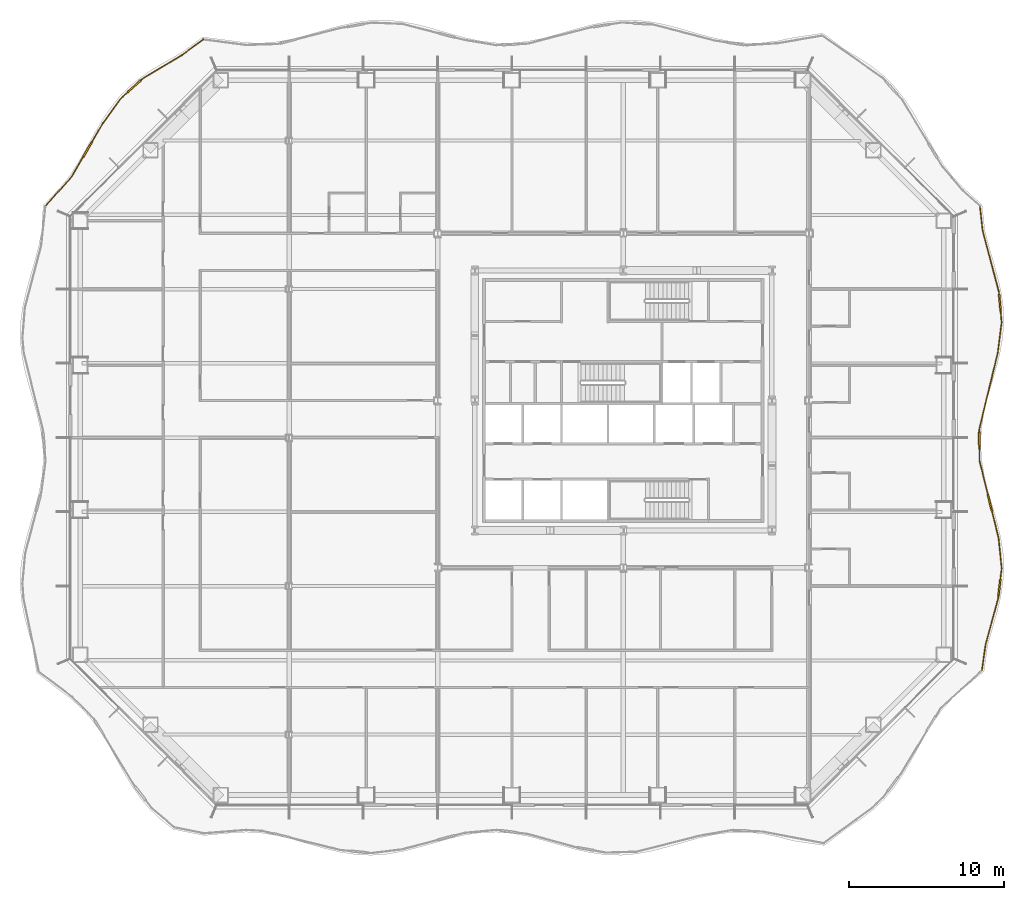
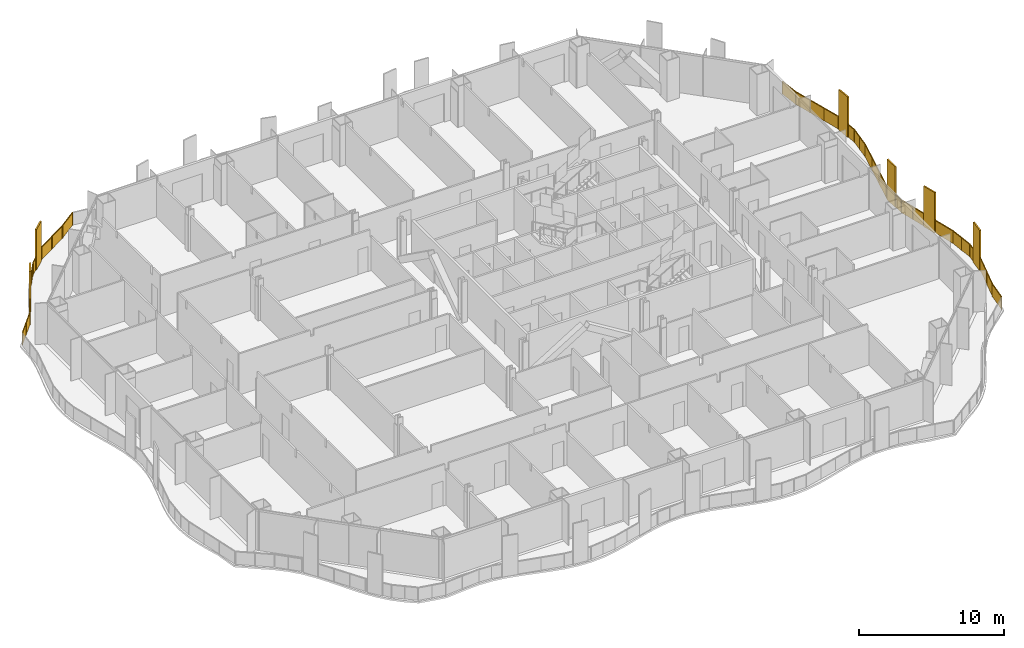
# One storey, part 18 of 20: 2 railings.
"""IFC4 building model written with IfcOpenShell, lengths in metres."""

from ifc_helpers import new_model, si_unit, direction, frame, origin, origin_2d, place, context, subcontext, project, spatial, polyline, rectangle, outline, extrude, material, type_object, element, save


model = new_model("IFC4")

# Units and contexts
model_context = context("Model", 3, precision=1e-05, world=origin(), true_north=direction((0.0, 1.0)))
body_context = subcontext(model_context, "Body", "Model", "MODEL_VIEW")
ifc_project = project(units=[si_unit("LENGTHUNIT", "METRE"), si_unit("AREAUNIT", "SQUARE_METRE"), si_unit("VOLUMEUNIT", "CUBIC_METRE"), si_unit("PLANEANGLEUNIT", "RADIAN"), si_unit("MASSUNIT", "GRAM", prefix="KILO")], contexts=[model_context])

# Site, building, storey
site_placement = place(None, origin())
site = spatial("IfcSite", under=ifc_project, at=site_placement, CompositionType="ELEMENT")
building_placement = place(site_placement, origin())
building = spatial("IfcBuilding", under=site, at=building_placement, Name="Cairn Pilgrim Tower", CompositionType="ELEMENT")
storey_placement = place(building_placement, frame((0.0, 0.0, 61.800048828125)))
storey = spatial("IfcBuildingStorey", under=building, at=storey_placement, Name="L13", CompositionType="ELEMENT", Elevation=61.800048828125)

# Railings
ifc_material = material(Name="Bronze anodised aluminium rail, posts and fin screens with laminated glass infill", Category="aluminium")
railing_type = type_object("IfcRailingType", Name="BALCONY GUARD WITH FIN SCREENS", PredefinedType="GUARDRAIL", material=ifc_material)
railing_1_placement = place(storey_placement, frame((30.373779296875, -15.035888671875, 0.0)))
element("IfcRailing", 1, at=railing_1_placement, inside=storey, type_object=railing_type, Name="Balcony guard BGF-2 with fin screens", PredefinedType="GUARDRAIL", context=body_context, shape_type="SweptSolid", body=[
    extrude(rectangle(XDim=0.050048828125, YDim=0.050048828125, at=origin_2d()), frame((0.0, 0.0, 1.0751953125), z_axis=(0.139422245384, 0.990233021815, 0.0), x_axis=(-0.990233021815, 0.139422245384, 0.0)), (0.0, 0.0, 1.0), 1.67578125),
    extrude(rectangle(XDim=0.050048828125, YDim=0.050048828125, at=origin_2d()), frame((0.233642578125, 1.659423828125, 1.0751953125), z_axis=(0.26384008149, 0.964566437006, 0.0), x_axis=(-0.964566437006, 0.26384008149, 0.0)), (0.0, 0.0, 1.0), 3.0869140625),
    extrude(rectangle(XDim=1.10009765625, YDim=0.110107421875, at=origin_2d()), frame((1.128662109375, 5.332275390625, 0.0), z_axis=(0.0, 0.0, 1.0), x_axis=(0.115159895299, 0.993346967839, 0.0)), (0.0, 0.0, 1.0), 3.39990234375),
    extrude(rectangle(XDim=0.050048828125, YDim=0.050048828125, at=origin_2d()), frame((1.048095703125, 4.636962890625, 1.0751953125), z_axis=(0.115159895299, 0.993346967839, 0.0), x_axis=(-0.993346967839, 0.115159895299, 0.0)), (0.0, 0.0, 1.0), 0.14990234375),
    extrude(rectangle(XDim=0.050048828125, YDim=0.050048828125, at=origin_2d()), frame((1.192138671875, 5.87841796875, 1.0751953125), z_axis=(0.115159895299, 0.993346967839, 0.0), x_axis=(-0.993346967839, 0.115159895299, 0.0)), (0.0, 0.0, 1.0), 0.7216796875),
    extrude(rectangle(XDim=0.050048828125, YDim=0.050048828125, at=origin_2d()), frame((1.275146484375, 6.595458984375, 1.0751953125), z_axis=(-0.101884192727, 0.994796266214, 0.0), x_axis=(-0.994796266214, -0.101884192727, 0.0)), (0.0, 0.0, 1.0), 1.9697265625),
    extrude(rectangle(XDim=1.10009765625, YDim=0.110107421875, at=origin_2d()), frame((0.516845703125, 10.813720703125, 0.0), z_axis=(0.0, 0.0, 1.0), x_axis=(-0.239685585867, 0.970850565189, 0.0)), (0.0, 0.0, 1.0), 3.39990234375),
    extrude(rectangle(XDim=0.050048828125, YDim=0.050048828125, at=origin_2d()), frame((1.074462890625, 8.554931640625, 1.0751953125), z_axis=(-0.239685585867, 0.970850565189, 0.0), x_axis=(-0.970850565189, -0.239685585867, 0.0)), (0.0, 0.0, 1.0), 1.776611328125),
    extrude(rectangle(XDim=0.050048828125, YDim=0.050048828125, at=origin_2d()), frame((0.385009765625, 11.34765625, 1.0751953125), z_axis=(-0.239685585867, 0.970850565189, 0.0), x_axis=(-0.970850565189, -0.239685585867, 0.0)), (0.0, 0.0, 1.0), 2.244873046875),
    extrude(rectangle(XDim=1.10009765625, YDim=0.110107421875, at=origin_2d()), frame((-0.1708984375, 14.849365234375, 0.0), z_axis=(0.0, 0.0, 1.0), x_axis=(-0.01352043494, 0.999908594742, 0.0)), (0.0, 0.0, 1.0), 3.39990234375),
    extrude(rectangle(XDim=0.050048828125, YDim=0.050048828125, at=origin_2d()), frame((-0.153076171875, 13.527099609375, 1.0751953125), z_axis=(-0.01352043494, 0.999908594742, 0.0), x_axis=(-0.999908594742, -0.01352043494, 0.0)), (0.0, 0.0, 1.0), 0.7724609375),
    extrude(rectangle(XDim=0.050048828125, YDim=0.050048828125, at=origin_2d()), frame((-0.178466796875, 15.3994140625, 1.0751953125), z_axis=(-0.01352043494, 0.999908594742, 0.0), x_axis=(-0.999908594742, -0.01352043494, 0.0)), (0.0, 0.0, 1.0), 0.14990234375),
    extrude(rectangle(XDim=0.050048828125, YDim=0.050048828125, at=origin_2d()), frame((-0.180419921875, 15.54931640625, 1.0751953125), z_axis=(0.235291552754, 0.971924835161, 0.0), x_axis=(-0.971924835161, 0.235291552754, 0.0)), (0.0, 0.0, 1.0), 5.11962890625),
    extrude(rectangle(XDim=0.050048828125, YDim=0.050048828125, at=origin_2d()), frame((1.024169921875, 20.525146484375, 1.0751953125), z_axis=(0.126176965662, 0.992007748627, 0.0), x_axis=(-0.992007748627, 0.126176965662, 0.0)), (0.0, 0.0, 1.0), 1.9775390625),
    extrude(rectangle(XDim=1.10009765625, YDim=0.110107421875, at=origin_2d()), frame((1.159423828125, 23.7470703125, 0.0), z_axis=(0.0, 0.0, 1.0), x_axis=(-0.090300559298, 0.995914559081, 0.0)), (0.0, 0.0, 1.0), 3.39990234375),
    extrude(rectangle(XDim=0.050048828125, YDim=0.050048828125, at=origin_2d()), frame((1.273681640625, 22.48681640625, 1.0751953125), z_axis=(-0.090300559298, 0.995914559081, 0.0), x_axis=(-0.995914559081, -0.090300559298, 0.0)), (0.0, 0.0, 1.0), 0.71533203125),
    extrude(rectangle(XDim=0.050048828125, YDim=0.050048828125, at=origin_2d()), frame((1.10986328125, 24.294677734375, 1.0751953125), z_axis=(-0.090300559298, 0.995914559081, 0.0), x_axis=(-0.995914559081, -0.090300559298, 0.0)), (0.0, 0.0, 1.0), 0.150146484375),
    extrude(rectangle(XDim=0.050048828125, YDim=0.050048828125, at=origin_2d()), frame((1.09619140625, 24.4443359375, 1.0751953125), z_axis=(-0.25592359857, 0.96669701132, 0.0), x_axis=(-0.96669701132, -0.25592359857, 0.0)), (0.0, 0.0, 1.0), 4.107666015625),
    extrude(rectangle(XDim=0.050048828125, YDim=0.050048828125, at=origin_2d()), frame((0.044921875, 28.415283203125, 1.0751953125), z_axis=(-0.109517460608, 0.993984872029, 0.0), x_axis=(-0.993984872029, -0.109517460608, 0.0)), (0.0, 0.0, 1.0), 1.5537109375),
    extrude(rectangle(XDim=0.050048828125, YDim=0.050048828125, at=origin_2d()), origin(), (0.0, 0.0, 1.0), 1.050048828125),
    extrude(rectangle(XDim=0.050048828125, YDim=0.050048828125, at=origin_2d()), frame((0.233642578125, 1.659423828125, 0.0)), (0.0, 0.0, 1.0), 1.050048828125),
    extrude(rectangle(XDim=0.050048828125, YDim=0.050048828125, at=origin_2d()), frame((0.640869140625, 3.148193359375, 0.0)), (0.0, 0.0, 1.0), 1.050048828125),
    extrude(rectangle(XDim=0.050048828125, YDim=0.050048828125, at=origin_2d()), frame((1.048095703125, 4.636962890625, 0.0)), (0.0, 0.0, 1.0), 1.050048828125),
    extrude(rectangle(XDim=0.050048828125, YDim=0.050048828125, at=origin_2d()), frame((1.0625, 4.760986328125, 0.0)), (0.0, 0.0, 1.0), 1.050048828125),
    extrude(rectangle(XDim=0.050048828125, YDim=0.050048828125, at=origin_2d()), frame((1.19482421875, 5.9033203125, 0.0)), (0.0, 0.0, 1.0), 1.050048828125),
    extrude(rectangle(XDim=0.050048828125, YDim=0.050048828125, at=origin_2d()), frame((1.275146484375, 6.595458984375, 0.0)), (0.0, 0.0, 1.0), 1.050048828125),
    extrude(rectangle(XDim=0.050048828125, YDim=0.050048828125, at=origin_2d()), frame((1.1748046875, 7.5751953125, 0.0)), (0.0, 0.0, 1.0), 1.050048828125),
    extrude(rectangle(XDim=0.050048828125, YDim=0.050048828125, at=origin_2d()), frame((1.074462890625, 8.554931640625, 0.0)), (0.0, 0.0, 1.0), 1.050048828125),
    extrude(rectangle(XDim=0.050048828125, YDim=0.050048828125, at=origin_2d()), frame((0.654541015625, 10.255615234375, 0.0)), (0.0, 0.0, 1.0), 1.050048828125),
    extrude(rectangle(XDim=0.050048828125, YDim=0.050048828125, at=origin_2d()), frame((0.37890625, 11.3720703125, 0.0)), (0.0, 0.0, 1.0), 1.050048828125),
    extrude(rectangle(XDim=0.050048828125, YDim=0.050048828125, at=origin_2d()), frame((0.113037109375, 12.449462890625, 0.0)), (0.0, 0.0, 1.0), 1.050048828125),
    extrude(rectangle(XDim=0.050048828125, YDim=0.050048828125, at=origin_2d()), frame((-0.153076171875, 13.527099609375, 0.0)), (0.0, 0.0, 1.0), 1.050048828125),
    extrude(rectangle(XDim=0.050048828125, YDim=0.050048828125, at=origin_2d()), frame((-0.1630859375, 14.2744140625, 0.0)), (0.0, 0.0, 1.0), 1.050048828125),
    extrude(rectangle(XDim=0.050048828125, YDim=0.050048828125, at=origin_2d()), frame((-0.1787109375, 15.42431640625, 0.0)), (0.0, 0.0, 1.0), 1.050048828125),
    extrude(rectangle(XDim=0.050048828125, YDim=0.050048828125, at=origin_2d()), frame((-0.180419921875, 15.54931640625, 0.0)), (0.0, 0.0, 1.0), 1.050048828125),
    extrude(rectangle(XDim=0.050048828125, YDim=0.050048828125, at=origin_2d()), frame((0.22119140625, 17.2080078125, 0.0)), (0.0, 0.0, 1.0), 1.050048828125),
    extrude(rectangle(XDim=0.050048828125, YDim=0.050048828125, at=origin_2d()), frame((0.62255859375, 18.866455078125, 0.0)), (0.0, 0.0, 1.0), 1.050048828125),
    extrude(rectangle(XDim=0.050048828125, YDim=0.050048828125, at=origin_2d()), frame((1.024169921875, 20.525146484375, 0.0)), (0.0, 0.0, 1.0), 1.050048828125),
    extrude(rectangle(XDim=0.050048828125, YDim=0.050048828125, at=origin_2d()), frame((1.14892578125, 21.505859375, 0.0)), (0.0, 0.0, 1.0), 1.050048828125),
    extrude(rectangle(XDim=0.050048828125, YDim=0.050048828125, at=origin_2d()), frame((1.273681640625, 22.48681640625, 0.0)), (0.0, 0.0, 1.0), 1.050048828125),
    extrude(rectangle(XDim=0.050048828125, YDim=0.050048828125, at=origin_2d()), frame((1.21142578125, 23.17431640625, 0.0)), (0.0, 0.0, 1.0), 1.050048828125),
    extrude(rectangle(XDim=0.050048828125, YDim=0.050048828125, at=origin_2d()), frame((1.107421875, 24.319580078125, 0.0)), (0.0, 0.0, 1.0), 1.050048828125),
    extrude(rectangle(XDim=0.050048828125, YDim=0.050048828125, at=origin_2d()), frame((1.09619140625, 24.4443359375, 0.0)), (0.0, 0.0, 1.0), 1.050048828125),
    extrude(rectangle(XDim=0.050048828125, YDim=0.050048828125, at=origin_2d()), frame((0.745849609375, 25.76806640625, 0.0)), (0.0, 0.0, 1.0), 1.050048828125),
    extrude(rectangle(XDim=0.050048828125, YDim=0.050048828125, at=origin_2d()), frame((0.395263671875, 27.091552734375, 0.0)), (0.0, 0.0, 1.0), 1.050048828125),
    extrude(rectangle(XDim=0.050048828125, YDim=0.050048828125, at=origin_2d()), frame((0.044921875, 28.415283203125, 0.0)), (0.0, 0.0, 1.0), 1.050048828125),
    extrude(rectangle(XDim=0.050048828125, YDim=0.050048828125, at=origin_2d()), frame((-0.125244140625, 29.959716796875, 0.0)), (0.0, 0.0, 1.0), 1.050048828125),
    extrude(outline(polyline([(0.02490234375, 0.0), (1.65087890625, 0.0), (1.65087890625, 1.050048828125), (0.02490234375, 1.050048828125), (0.02490234375, 0.0)])), frame((-0.005859375, 0.000732421875, 0.0), z_axis=(0.990233021815, -0.139422245384, 0.0), x_axis=(0.139422245384, 0.990233021815, 0.0)), (0.0, 0.0, 1.0), 0.011962890625),
    extrude(outline(polyline([(0.02490234375, 0.0), (1.5185546875, 0.0), (1.5185546875, 1.050048828125), (0.02490234375, 1.050048828125), (0.02490234375, 0.0)])), frame((0.227783203125, 1.660888671875, 0.0), z_axis=(0.964566437006, -0.26384008149, 0.0), x_axis=(0.26384008149, 0.964566437006, 0.0)), (0.0, 0.0, 1.0), 0.011962890625),
    extrude(outline(polyline([(0.02490234375, 0.0), (1.5185546875, 0.0), (1.5185546875, 1.050048828125), (0.02490234375, 1.050048828125), (0.02490234375, 0.0)])), frame((0.635009765625, 3.149658203125, 0.0), z_axis=(0.964566437006, -0.26384008149, 0.0), x_axis=(0.26384008149, 0.964566437006, 0.0)), (0.0, 0.0, 1.0), 0.011962890625),
    extrude(outline(polyline([(0.02490234375, 0.0), (0.099853515625, 0.0), (0.099853515625, 1.050048828125), (0.02490234375, 1.050048828125), (0.02490234375, 0.0)])), frame((1.042236328125, 4.6376953125, 0.0), z_axis=(0.993346967839, -0.115159895299, 0.0), x_axis=(0.115159895299, 0.993346967839, 0.0)), (0.0, 0.0, 1.0), 0.011962890625),
    extrude(outline(polyline([(0.02490234375, 0.0), (0.671630859375, 0.0), (0.671630859375, 1.050048828125), (0.02490234375, 1.050048828125), (0.02490234375, 0.0)])), frame((1.18896484375, 5.904052734375, 0.0), z_axis=(0.993346967839, -0.115159895299, 0.0), x_axis=(0.115159895299, 0.993346967839, 0.0)), (0.0, 0.0, 1.0), 0.011962890625),
    extrude(outline(polyline([(0.02490234375, 0.0), (0.959716796875, 0.0), (0.959716796875, 1.050048828125), (0.02490234375, 1.050048828125), (0.02490234375, 0.0)])), frame((1.269287109375, 6.594970703125, 0.0), z_axis=(0.994796266214, 0.101884192727, 0.0), x_axis=(-0.101884192727, 0.994796266214, 0.0)), (0.0, 0.0, 1.0), 0.011962890625),
    extrude(outline(polyline([(0.02490234375, 0.0), (0.959716796875, 0.0), (0.959716796875, 1.050048828125), (0.02490234375, 1.050048828125), (0.02490234375, 0.0)])), frame((1.1689453125, 7.57470703125, 0.0), z_axis=(0.994796266214, 0.101884192727, 0.0), x_axis=(-0.101884192727, 0.994796266214, 0.0)), (0.0, 0.0, 1.0), 0.011962890625),
    extrude(outline(polyline([(0.02490234375, 0.0), (1.7265625, 0.0), (1.7265625, 1.050048828125), (0.02490234375, 1.050048828125), (0.02490234375, 0.0)])), frame((1.068603515625, 8.553466796875, 0.0), z_axis=(0.970850565189, 0.239685585867, 0.0), x_axis=(-0.239685585867, 0.970850565189, 0.0)), (0.0, 0.0, 1.0), 0.011962890625),
    extrude(outline(polyline([(0.02490234375, 0.0), (1.0849609375, 0.0), (1.0849609375, 1.050048828125), (0.02490234375, 1.050048828125), (0.02490234375, 0.0)])), frame((0.373046875, 11.37060546875, 0.0), z_axis=(0.970850565189, 0.239685585867, 0.0), x_axis=(-0.239685585867, 0.970850565189, 0.0)), (0.0, 0.0, 1.0), 0.011962890625),
    extrude(outline(polyline([(0.02490234375, 0.0), (1.0849609375, 0.0), (1.0849609375, 1.050048828125), (0.02490234375, 1.050048828125), (0.02490234375, 0.0)])), frame((0.107177734375, 12.4482421875, 0.0), z_axis=(0.970850565189, 0.239685585867, 0.0), x_axis=(-0.239685585867, 0.970850565189, 0.0)), (0.0, 0.0, 1.0), 0.011962890625),
    extrude(outline(polyline([(0.02490234375, 0.0), (0.722412109375, 0.0), (0.722412109375, 1.050048828125), (0.02490234375, 1.050048828125), (0.02490234375, 0.0)])), frame((-0.158935546875, 13.527099609375, 0.0), z_axis=(0.999908594742, 0.01352043494, 0.0), x_axis=(-0.01352043494, 0.999908594742, 0.0)), (0.0, 0.0, 1.0), 0.011962890625),
    extrude(outline(polyline([(0.02490234375, 0.0), (0.099853515625, 0.0), (0.099853515625, 1.050048828125), (0.02490234375, 1.050048828125), (0.02490234375, 0.0)])), frame((-0.184814453125, 15.42431640625, 0.0), z_axis=(0.999908594742, 0.01352043494, 0.0), x_axis=(-0.01352043494, 0.999908594742, 0.0)), (0.0, 0.0, 1.0), 0.011962890625),
    extrude(outline(polyline([(0.02490234375, 0.0), (1.681396484375, 0.0), (1.681396484375, 1.050048828125), (0.02490234375, 1.050048828125), (0.02490234375, 0.0)])), frame((-0.186279296875, 15.55078125, 0.0), z_axis=(0.971924835161, -0.235291552754, 0.0), x_axis=(0.235291552754, 0.971924835161, 0.0)), (0.0, 0.0, 1.0), 0.011962890625),
    extrude(outline(polyline([(0.02490234375, 0.0), (1.681396484375, 0.0), (1.681396484375, 1.050048828125), (0.02490234375, 1.050048828125), (0.02490234375, 0.0)])), frame((0.21533203125, 17.209228515625, 0.0), z_axis=(0.971924835161, -0.235291552754, 0.0), x_axis=(0.235291552754, 0.971924835161, 0.0)), (0.0, 0.0, 1.0), 0.011962890625),
    extrude(outline(polyline([(0.02490234375, 0.0), (1.681396484375, 0.0), (1.681396484375, 1.050048828125), (0.02490234375, 1.050048828125), (0.02490234375, 0.0)])), frame((0.616943359375, 18.867919921875, 0.0), z_axis=(0.971924835161, -0.235291552754, 0.0), x_axis=(0.235291552754, 0.971924835161, 0.0)), (0.0, 0.0, 1.0), 0.011962890625),
    extrude(outline(polyline([(0.02490234375, 0.0), (0.963623046875, 0.0), (0.963623046875, 1.050048828125), (0.02490234375, 1.050048828125), (0.02490234375, 0.0)])), frame((1.018310546875, 20.52587890625, 0.0), z_axis=(0.992007748627, -0.126176965662, 0.0), x_axis=(0.126176965662, 0.992007748627, 0.0)), (0.0, 0.0, 1.0), 0.011962890625),
    extrude(outline(polyline([(0.02490234375, 0.0), (0.963623046875, 0.0), (0.963623046875, 1.050048828125), (0.02490234375, 1.050048828125), (0.02490234375, 0.0)])), frame((1.14306640625, 21.5068359375, 0.0), z_axis=(0.992007748627, -0.126176965662, 0.0), x_axis=(0.126176965662, 0.992007748627, 0.0)), (0.0, 0.0, 1.0), 0.011962890625),
    extrude(outline(polyline([(0.02490234375, 0.0), (0.665283203125, 0.0), (0.665283203125, 1.050048828125), (0.02490234375, 1.050048828125), (0.02490234375, 0.0)])), frame((1.267822265625, 22.486328125, 0.0), z_axis=(0.995914559081, 0.090300559298, 0.0), x_axis=(-0.090300559298, 0.995914559081, 0.0)), (0.0, 0.0, 1.0), 0.011962890625),
    extrude(outline(polyline([(0.02490234375, 0.0), (0.10009765625, 0.0), (0.10009765625, 1.050048828125), (0.02490234375, 1.050048828125), (0.02490234375, 0.0)])), frame((1.1015625, 24.319091796875, 0.0), z_axis=(0.995914559081, 0.090300559298, 0.0), x_axis=(-0.090300559298, 0.995914559081, 0.0)), (0.0, 0.0, 1.0), 0.011962890625),
    extrude(outline(polyline([(0.02490234375, 0.0), (1.34423828125, 0.0), (1.34423828125, 1.050048828125), (0.02490234375, 1.050048828125), (0.02490234375, 0.0)])), frame((1.09033203125, 24.44287109375, 0.0), z_axis=(0.96669701132, 0.25592359857, 0.0), x_axis=(-0.25592359857, 0.96669701132, 0.0)), (0.0, 0.0, 1.0), 0.011962890625),
    extrude(outline(polyline([(0.02490234375, 0.0), (1.34423828125, 0.0), (1.34423828125, 1.050048828125), (0.02490234375, 1.050048828125), (0.02490234375, 0.0)])), frame((0.739990234375, 25.766357421875, 0.0), z_axis=(0.96669701132, 0.25592359857, 0.0), x_axis=(-0.25592359857, 0.96669701132, 0.0)), (0.0, 0.0, 1.0), 0.011962890625),
    extrude(outline(polyline([(0.02490234375, 0.0), (1.34423828125, 0.0), (1.34423828125, 1.050048828125), (0.02490234375, 1.050048828125), (0.02490234375, 0.0)])), frame((0.3896484375, 27.090087890625, 0.0), z_axis=(0.96669701132, 0.25592359857, 0.0), x_axis=(-0.25592359857, 0.96669701132, 0.0)), (0.0, 0.0, 1.0), 0.011962890625),
    extrude(outline(polyline([(0.02490234375, 0.0), (1.52880859375, 0.0), (1.52880859375, 1.050048828125), (0.02490234375, 1.050048828125), (0.02490234375, 0.0)])), frame((0.0390625, 28.41455078125, 0.0), z_axis=(0.993984872029, 0.109517460608, 0.0), x_axis=(-0.109517460608, 0.993984872029, 0.0)), (0.0, 0.0, 1.0), 0.011962890625),
])
railing_2_placement = place(storey_placement, frame((-19.94580078125, 25.74072265625, 0.0)))
element("IfcRailing", 2, at=railing_2_placement, inside=storey, type_object=railing_type, Name="Balcony guard BGF-5 with fin screens", PredefinedType="GUARDRAIL", context=body_context, shape_type="SweptSolid", body=[
    extrude(rectangle(XDim=0.050048828125, YDim=0.050048828125, at=origin_2d()), frame((0.0, 0.0, 1.0751953125), z_axis=(-0.806783216958, -0.590847561418, 0.0), x_axis=(0.590847561418, -0.806783216958, 0.0)), (0.0, 0.0, 1.0), 1.72314453125),
    extrude(rectangle(XDim=0.050048828125, YDim=0.050048828125, at=origin_2d()), frame((-1.39013671875, -1.01806640625, 1.0751953125), z_axis=(-0.857240693133, -0.514915909675, 0.0), x_axis=(0.514915909675, -0.857240693133, 0.0)), (0.0, 0.0, 1.0), 2.990478515625),
    extrude(rectangle(XDim=1.10009765625, YDim=0.110107421875, at=origin_2d()), frame((-4.47021484375, -3.0302734375, 0.0), z_axis=(0.0, 0.0, 1.0), x_axis=(-0.738023357858, -0.674775164967, 0.0)), (0.0, 0.0, 1.0), 3.39990234375),
    extrude(rectangle(XDim=0.050048828125, YDim=0.050048828125, at=origin_2d()), frame((-3.95361328125, -2.557861328125, 1.0751953125), z_axis=(-0.738023357858, -0.674775164967, 0.0), x_axis=(0.674775164967, -0.738023357858, 0.0)), (0.0, 0.0, 1.0), 0.14990234375),
    extrude(rectangle(XDim=0.050048828125, YDim=0.050048828125, at=origin_2d()), frame((-4.876220703125, -3.4013671875, 1.0751953125), z_axis=(-0.738023357858, -0.674775164967, 0.0), x_axis=(0.674775164967, -0.738023357858, 0.0)), (0.0, 0.0, 1.0), 0.66064453125),
    extrude(rectangle(XDim=0.050048828125, YDim=0.050048828125, at=origin_2d()), frame((-5.36376953125, -3.84716796875, 1.0751953125), z_axis=(-0.583731853446, -0.811946502716, 0.0), x_axis=(0.811946502716, -0.583731853446, 0.0)), (0.0, 0.0, 1.0), 1.942626953125),
    extrude(rectangle(XDim=1.10009765625, YDim=0.110107421875, at=origin_2d()), frame((-7.481201171875, -7.10888671875, 0.0), z_axis=(0.0, 0.0, 1.0), x_axis=(-0.504229819672, -0.863569504414, 0.0)), (0.0, 0.0, 1.0), 3.39990234375),
    extrude(rectangle(XDim=0.050048828125, YDim=0.050048828125, at=origin_2d()), frame((-6.497802734375, -5.424560546875, 1.0751953125), z_axis=(-0.504229819672, -0.863569504414, 0.0), x_axis=(0.863569504414, -0.504229819672, 0.0)), (0.0, 0.0, 1.0), 1.400390625),
    extrude(rectangle(XDim=0.050048828125, YDim=0.050048828125, at=origin_2d()), frame((-7.758544921875, -7.583740234375, 1.0751953125), z_axis=(-0.504229819672, -0.863569504414, 0.0), x_axis=(0.863569504414, -0.504229819672, 0.0)), (0.0, 0.0, 1.0), 1.518310546875),
    extrude(rectangle(XDim=0.050048828125, YDim=0.050048828125, at=origin_2d()), frame((-8.524169921875, -8.89501953125, 1.0751953125), z_axis=(-0.667884513697, -0.744264923508, 0.0), x_axis=(0.744264923508, -0.667884513697, 0.0)), (0.0, 0.0, 1.0), 2.473876953125),
    extrude(rectangle(XDim=0.050048828125, YDim=0.050048828125, at=origin_2d()), origin(), (0.0, 0.0, 1.0), 1.050048828125),
    extrude(rectangle(XDim=0.050048828125, YDim=0.050048828125, at=origin_2d()), frame((-1.39013671875, -1.01806640625, 0.0)), (0.0, 0.0, 1.0), 1.050048828125),
    extrude(rectangle(XDim=0.050048828125, YDim=0.050048828125, at=origin_2d()), frame((-2.671875, -1.7880859375, 0.0)), (0.0, 0.0, 1.0), 1.050048828125),
    extrude(rectangle(XDim=0.050048828125, YDim=0.050048828125, at=origin_2d()), frame((-3.95361328125, -2.557861328125, 0.0)), (0.0, 0.0, 1.0), 1.050048828125),
    extrude(rectangle(XDim=0.050048828125, YDim=0.050048828125, at=origin_2d()), frame((-4.0458984375, -2.64208984375, 0.0)), (0.0, 0.0, 1.0), 1.050048828125),
    extrude(rectangle(XDim=0.050048828125, YDim=0.050048828125, at=origin_2d()), frame((-4.89453125, -3.418212890625, 0.0)), (0.0, 0.0, 1.0), 1.050048828125),
    extrude(rectangle(XDim=0.050048828125, YDim=0.050048828125, at=origin_2d()), frame((-5.36376953125, -3.84716796875, 0.0)), (0.0, 0.0, 1.0), 1.050048828125),
    extrude(rectangle(XDim=0.050048828125, YDim=0.050048828125, at=origin_2d()), frame((-5.9306640625, -4.6357421875, 0.0)), (0.0, 0.0, 1.0), 1.050048828125),
    extrude(rectangle(XDim=0.050048828125, YDim=0.050048828125, at=origin_2d()), frame((-6.497802734375, -5.424560546875, 0.0)), (0.0, 0.0, 1.0), 1.050048828125),
    extrude(rectangle(XDim=0.050048828125, YDim=0.050048828125, at=origin_2d()), frame((-7.19140625, -6.6123046875, 0.0)), (0.0, 0.0, 1.0), 1.050048828125),
    extrude(rectangle(XDim=0.050048828125, YDim=0.050048828125, at=origin_2d()), frame((-7.771240234375, -7.60546875, 0.0)), (0.0, 0.0, 1.0), 1.050048828125),
    extrude(rectangle(XDim=0.050048828125, YDim=0.050048828125, at=origin_2d()), frame((-8.524169921875, -8.89501953125, 0.0)), (0.0, 0.0, 1.0), 1.050048828125),
    extrude(rectangle(XDim=0.050048828125, YDim=0.050048828125, at=origin_2d()), frame((-9.350341796875, -9.815673828125, 0.0)), (0.0, 0.0, 1.0), 1.050048828125),
    extrude(rectangle(XDim=0.050048828125, YDim=0.050048828125, at=origin_2d()), frame((-10.176513671875, -10.736328125, 0.0)), (0.0, 0.0, 1.0), 1.050048828125),
    extrude(outline(polyline([(0.02490234375, 0.0), (1.697998046875, 0.0), (1.697998046875, 1.050048828125), (0.02490234375, 1.050048828125), (0.02490234375, 0.0)])), frame((0.00341796875, -0.0048828125, 0.0), z_axis=(-0.590847561418, 0.806783216958, 0.0), x_axis=(-0.806783216958, -0.590847561418, 0.0)), (0.0, 0.0, 1.0), 0.011962890625),
    extrude(outline(polyline([(0.02490234375, 0.0), (1.47021484375, 0.0), (1.47021484375, 1.050048828125), (0.02490234375, 1.050048828125), (0.02490234375, 0.0)])), frame((-1.386962890625, -1.023193359375, 0.0), z_axis=(-0.514915909675, 0.857240693133, 0.0), x_axis=(-0.857240693133, -0.514915909675, 0.0)), (0.0, 0.0, 1.0), 0.011962890625),
    extrude(outline(polyline([(0.02490234375, 0.0), (1.47021484375, 0.0), (1.47021484375, 1.050048828125), (0.02490234375, 1.050048828125), (0.02490234375, 0.0)])), frame((-2.668701171875, -1.793212890625, 0.0), z_axis=(-0.514915909675, 0.857240693133, 0.0), x_axis=(-0.857240693133, -0.514915909675, 0.0)), (0.0, 0.0, 1.0), 0.011962890625),
    extrude(outline(polyline([(0.02490234375, 0.0), (0.099853515625, 0.0), (0.099853515625, 1.050048828125), (0.02490234375, 1.050048828125), (0.02490234375, 0.0)])), frame((-3.949462890625, -2.562255859375, 0.0), z_axis=(-0.674775164967, 0.738023357858, 0.0), x_axis=(-0.738023357858, -0.674775164967, 0.0)), (0.0, 0.0, 1.0), 0.011962890625),
    extrude(outline(polyline([(0.02490234375, 0.0), (0.610595703125, 0.0), (0.610595703125, 1.050048828125), (0.02490234375, 1.050048828125), (0.02490234375, 0.0)])), frame((-4.890625, -3.422607421875, 0.0), z_axis=(-0.674775164967, 0.738023357858, 0.0), x_axis=(-0.738023357858, -0.674775164967, 0.0)), (0.0, 0.0, 1.0), 0.011962890625),
    extrude(outline(polyline([(0.02490234375, 0.0), (0.9462890625, 0.0), (0.9462890625, 1.050048828125), (0.02490234375, 1.050048828125), (0.02490234375, 0.0)])), frame((-5.35888671875, -3.8505859375, 0.0), z_axis=(-0.811946502716, 0.583731853446, 0.0), x_axis=(-0.583731853446, -0.811946502716, 0.0)), (0.0, 0.0, 1.0), 0.011962890625),
    extrude(outline(polyline([(0.02490234375, 0.0), (0.9462890625, 0.0), (0.9462890625, 1.050048828125), (0.02490234375, 1.050048828125), (0.02490234375, 0.0)])), frame((-5.926025390625, -4.639404296875, 0.0), z_axis=(-0.811946502716, 0.583731853446, 0.0), x_axis=(-0.583731853446, -0.811946502716, 0.0)), (0.0, 0.0, 1.0), 0.011962890625),
    extrude(outline(polyline([(0.02490234375, 0.0), (1.350341796875, 0.0), (1.350341796875, 1.050048828125), (0.02490234375, 1.050048828125), (0.02490234375, 0.0)])), frame((-6.49267578125, -5.427490234375, 0.0), z_axis=(-0.863569504414, 0.504229819672, 0.0), x_axis=(-0.504229819672, -0.863569504414, 0.0)), (0.0, 0.0, 1.0), 0.011962890625),
    extrude(outline(polyline([(0.02490234375, 0.0), (1.46826171875, 0.0), (1.46826171875, 1.050048828125), (0.02490234375, 1.050048828125), (0.02490234375, 0.0)])), frame((-7.76611328125, -7.6083984375, 0.0), z_axis=(-0.863569504414, 0.504229819672, 0.0), x_axis=(-0.504229819672, -0.863569504414, 0.0)), (0.0, 0.0, 1.0), 0.011962890625),
    extrude(outline(polyline([(0.02490234375, 0.0), (1.2119140625, 0.0), (1.2119140625, 1.050048828125), (0.02490234375, 1.050048828125), (0.02490234375, 0.0)])), frame((-8.519775390625, -8.89892578125, 0.0), z_axis=(-0.744264923508, 0.667884513697, 0.0), x_axis=(-0.667884513697, -0.744264923508, 0.0)), (0.0, 0.0, 1.0), 0.011962890625),
    extrude(outline(polyline([(0.02490234375, 0.0), (1.2119140625, 0.0), (1.2119140625, 1.050048828125), (0.02490234375, 1.050048828125), (0.02490234375, 0.0)])), frame((-9.345947265625, -9.819580078125, 0.0), z_axis=(-0.744264923508, 0.667884513697, 0.0), x_axis=(-0.667884513697, -0.744264923508, 0.0)), (0.0, 0.0, 1.0), 0.011962890625),
])

save(model, "model.ifc")
